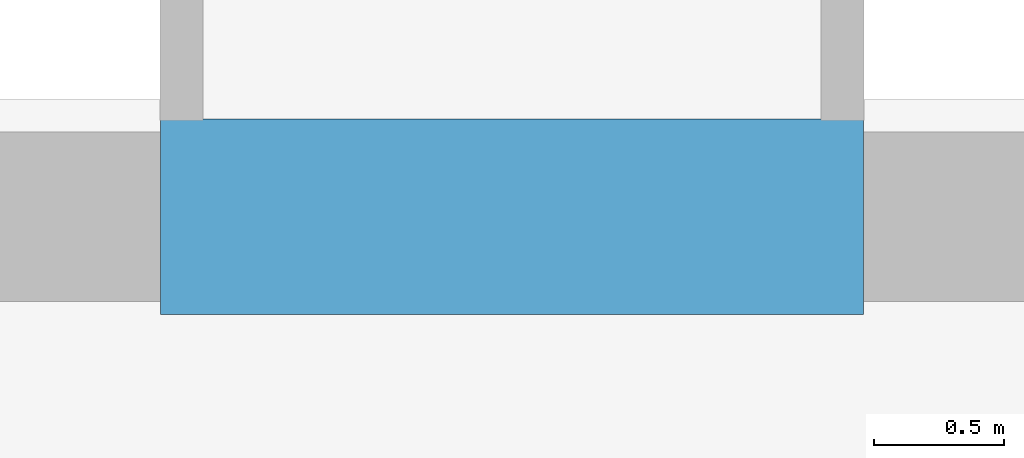
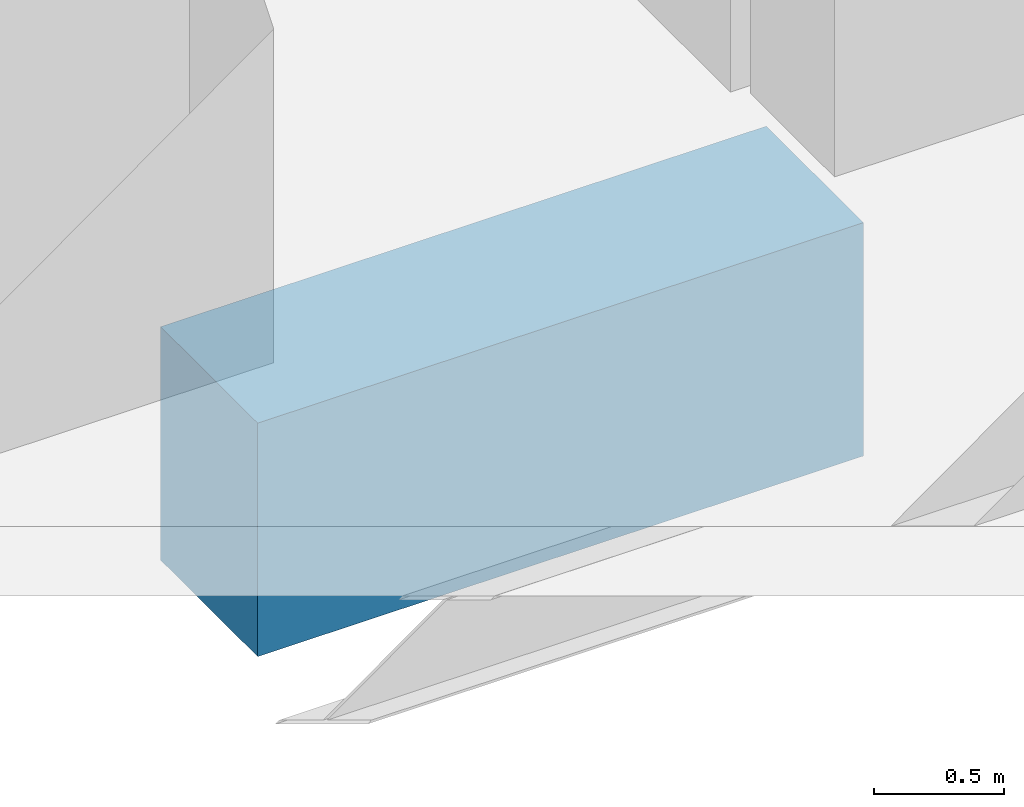
# One storey, part 8 of 33: 1 beam.
"""IFC4 building model written with IfcOpenShell, lengths in metres."""

from ifc_helpers import new_model, si_unit, direction, frame, origin, origin_2d, place, context, subcontext, project, spatial, rectangle, extrude, material, material_profile, profile_set, type_object, element, save


model = new_model("IFC4")

# Units and contexts
model_context = context("Model", 3, precision=1e-05, world=origin(), true_north=direction((0.0, 1.0)))
body_context = subcontext(model_context, "Body", "Model", "MODEL_VIEW")
ifc_project = project(units=[si_unit("LENGTHUNIT", "METRE"), si_unit("AREAUNIT", "SQUARE_METRE"), si_unit("VOLUMEUNIT", "CUBIC_METRE"), si_unit("PLANEANGLEUNIT", "RADIAN"), si_unit("MASSUNIT", "GRAM", prefix="KILO")], contexts=[model_context])

# Site, building, storey
site_placement = place(None, origin())
site = spatial("IfcSite", under=ifc_project, at=site_placement, CompositionType="ELEMENT")
building_placement = place(site_placement, origin())
building = spatial("IfcBuilding", under=site, at=building_placement, Name="Zuhayl Quay Hotel", CompositionType="ELEMENT")
storey_placement = place(building_placement, frame((0.0, 0.0, 207.39990234375)))
storey = spatial("IfcBuildingStorey", under=building, at=storey_placement, Name="L52", CompositionType="ELEMENT", Elevation=207.39990234375)

# Beam
ifc_material = material(Name="Concrete C60/75", Category="concrete")
ifc_material_profile = material_profile(ifc_material, rectangle(XDim=0.75, YDim=1.10009765625, at=origin_2d()), Name="RC750X1100")
ifc_profile_set = profile_set([ifc_material_profile], Name="Concrete C60/75")
beam_type = type_object("IfcBeamType", Name="BM_CB2_RC750", PredefinedType="T_BEAM", material=ifc_profile_set)
beam_placement = place(storey_placement, frame((-1.35009765625, 2.14990234375, -0.77001953125), z_axis=(1.0, 0.0, 0.0), x_axis=(0.0, 1.0, 0.0)))
element("IfcBeam", 1, at=beam_placement, inside=storey, type_object=beam_type, Name="L52 Core Coupling Beam South", PredefinedType="T_BEAM", context=body_context, shape_type="SweptSolid", body=[
    extrude(rectangle(XDim=0.75, YDim=1.10009765625, at=origin_2d()), origin(), (0.0, 0.0, 1.0), 2.7001953125),
])

save(model, "model.ifc")
